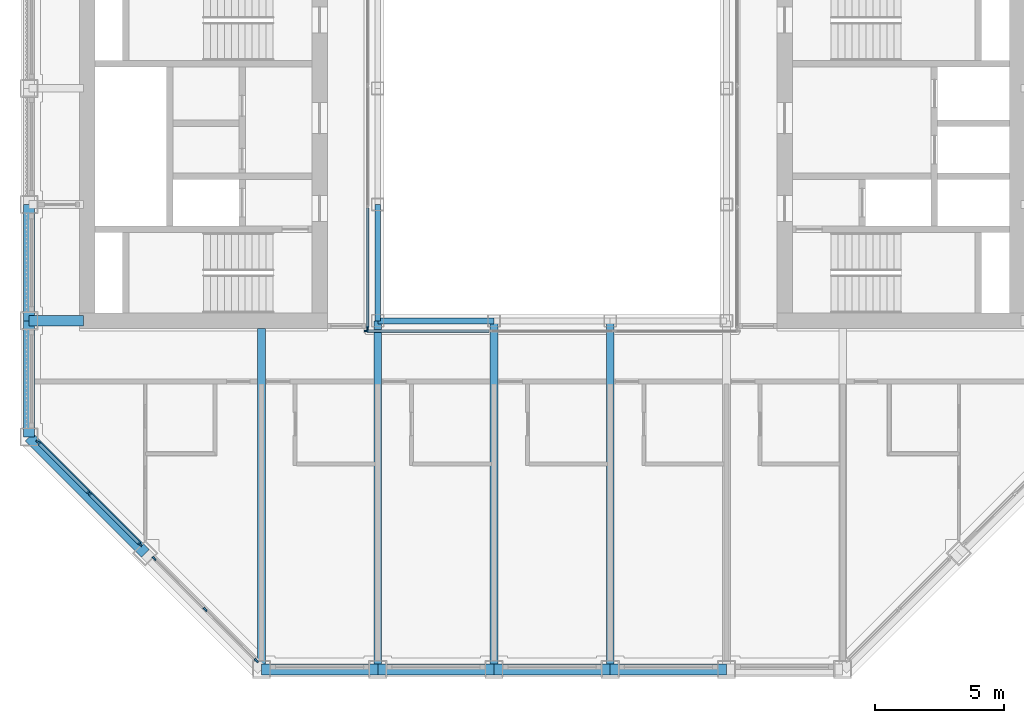
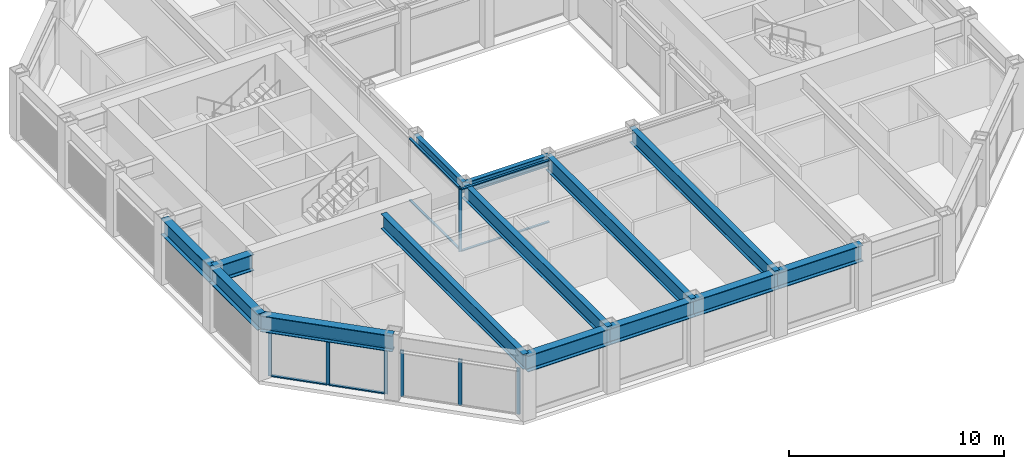
# One storey, part 2 of 18: 16 members, 14 beams, 4 elements without a shape of their own.
"""IFC4 building model written with IfcOpenShell, lengths in metres."""

from ifc_helpers import new_model, si_unit, direction, frame, origin, origin_2d, place, context, subcontext, project, spatial, rectangle, i_section, extrude, material, material_profile, profile_set, type_object, element, aggregate, save


model = new_model("IFC4")

# Units and contexts
model_context = context("Model", 3, precision=1e-05, world=origin(), true_north=direction((0.0, 1.0)))
body_context = subcontext(model_context, "Body", "Model", "MODEL_VIEW")
ifc_project = project(units=[si_unit("LENGTHUNIT", "METRE"), si_unit("AREAUNIT", "SQUARE_METRE"), si_unit("VOLUMEUNIT", "CUBIC_METRE"), si_unit("PLANEANGLEUNIT", "RADIAN"), si_unit("MASSUNIT", "GRAM", prefix="KILO")], contexts=[model_context])

# Site, building, storey
site_placement = place(None, origin())
site = spatial("IfcSite", under=ifc_project, at=site_placement, CompositionType="ELEMENT")
building_placement = place(site_placement, origin())
building = spatial("IfcBuilding", under=site, at=building_placement, Name="Msasa Ring Tower", CompositionType="ELEMENT")
storey_placement = place(building_placement, frame((0.0, 0.0, 208.300048828125)))
storey = spatial("IfcBuildingStorey", under=building, at=storey_placement, Name="L54", CompositionType="ELEMENT", Elevation=208.300048828125)

# Curtain wall, members
ifc_material_1 = material(Name="Aluminium curtain wall with clear glass", Category="aluminium")
curtain_wall_type_1 = type_object("IfcCurtainWallType", Name="CW-C CHAMFER CORNER CURTAIN WALL", PredefinedType="NOTDEFINED", material=ifc_material_1)
curtain_wall_1_placement = place(storey_placement, origin())
curtain_wall_1 = element("IfcCurtainWall", 1, at=curtain_wall_1_placement, inside=storey, type_object=curtain_wall_type_1, Name="Chamfer corner curtain wall SW L54", PredefinedType="NOTDEFINED")
ifc_material_2 = material(Name="Aluminium mullion", Category="aluminium")
ifc_material_profile_1 = material_profile(ifc_material_2, rectangle(XDim=0.06494140625, YDim=0.179931640625, at=origin_2d()), Name="AL 65x180")
ifc_profile_set_1 = profile_set([ifc_material_profile_1], Name="Aluminium mullion")
member_type_1 = type_object("IfcMemberType", Name="CW-C MULLION 65x180", PredefinedType="MULLION", material=ifc_profile_set_1)
member_1_placement = place(storey_placement, frame((-19.9052734375, -11.453369140625, 0.0), z_axis=(0.0, 0.0, 1.0), x_axis=(0.707106781187, 0.707106781187, 0.0)))
member_1 = element("IfcMember", 2, at=member_1_placement, type_object=member_type_1, Name="CW-C mullion 1", PredefinedType="MULLION", context=body_context, shape_type="SweptSolid", body=[
    extrude(rectangle(XDim=0.06494140625, YDim=0.179931640625, at=origin_2d()), origin(), (0.0, 0.0, 1.0), 2.62890625),
])
member_2_placement = place(storey_placement, frame((-17.92919921875, -13.42919921875, 0.0), z_axis=(0.0, 0.0, 1.0), x_axis=(0.707106781187, 0.707106781187, 0.0)))
member_2 = element("IfcMember", 3, at=member_2_placement, type_object=member_type_1, Name="CW-C mullion 2", PredefinedType="MULLION", context=body_context, shape_type="SweptSolid", body=[
    extrude(rectangle(XDim=0.06494140625, YDim=0.179931640625, at=origin_2d()), origin(), (0.0, 0.0, 1.0), 2.62890625),
])
member_3_placement = place(storey_placement, frame((-15.953369140625, -15.4052734375, 0.0), z_axis=(0.0, 0.0, 1.0), x_axis=(0.707106781187, 0.707106781187, 0.0)))
member_3 = element("IfcMember", 4, at=member_3_placement, type_object=member_type_1, Name="CW-C mullion 3", PredefinedType="MULLION", context=body_context, shape_type="SweptSolid", body=[
    extrude(rectangle(XDim=0.06494140625, YDim=0.179931640625, at=origin_2d()), origin(), (0.0, 0.0, 1.0), 2.62890625),
])

curtain_wall_2_placement = place(storey_placement, origin())
curtain_wall_2 = element("IfcCurtainWall", 5, at=curtain_wall_2_placement, inside=storey, type_object=curtain_wall_type_1, Name="Chamfer corner curtain wall SW L54", PredefinedType="NOTDEFINED")
member_4_placement = place(storey_placement, frame((-15.4052734375, -15.953369140625, 0.0), z_axis=(0.0, 0.0, 1.0), x_axis=(0.707106781187, 0.707106781187, 0.0)))
member_4 = element("IfcMember", 6, at=member_4_placement, type_object=member_type_1, Name="CW-C mullion 1", PredefinedType="MULLION", context=body_context, shape_type="SweptSolid", body=[
    extrude(rectangle(XDim=0.06494140625, YDim=0.179931640625, at=origin_2d()), origin(), (0.0, 0.0, 1.0), 2.62890625),
])
member_5_placement = place(storey_placement, frame((-13.42919921875, -17.92919921875, 0.0), z_axis=(0.0, 0.0, 1.0), x_axis=(0.707106781187, 0.707106781187, 0.0)))
member_5 = element("IfcMember", 7, at=member_5_placement, type_object=member_type_1, Name="CW-C mullion 2", PredefinedType="MULLION", context=body_context, shape_type="SweptSolid", body=[
    extrude(rectangle(XDim=0.06494140625, YDim=0.179931640625, at=origin_2d()), origin(), (0.0, 0.0, 1.0), 2.62890625),
])
member_6_placement = place(storey_placement, frame((-11.453369140625, -19.9052734375, 0.0), z_axis=(0.0, 0.0, 1.0), x_axis=(0.707106781187, 0.707106781187, 0.0)))
member_6 = element("IfcMember", 8, at=member_6_placement, type_object=member_type_1, Name="CW-C mullion 3", PredefinedType="MULLION", context=body_context, shape_type="SweptSolid", body=[
    extrude(rectangle(XDim=0.06494140625, YDim=0.179931640625, at=origin_2d()), origin(), (0.0, 0.0, 1.0), 2.62890625),
])
aggregate(curtain_wall_2, [member_4, member_5, member_6])

# Member
ifc_material_3 = material(Name="Aluminium transom", Category="aluminium")
ifc_material_profile_2 = material_profile(ifc_material_3, rectangle(XDim=0.139892578125, YDim=0.06494140625, at=origin_2d()), Name="AL 65x140")
ifc_profile_set_2 = profile_set([ifc_material_profile_2], Name="Aluminium transom")
member_type_2 = type_object("IfcMemberType", Name="CW-C TRANSOM 65x140", PredefinedType="USERDEFINED", material=ifc_profile_set_2)
member_7_placement = place(storey_placement, frame((-19.88232421875, -11.476318359375, 0.032470703125), z_axis=(0.707106781187, -0.707106781187, 0.0), x_axis=(0.707106781187, 0.707106781187, 0.0)))
member_7 = element("IfcMember", 9, at=member_7_placement, type_object=member_type_2, Name="CW-C transom 1.1", ObjectType="TRANSOM", PredefinedType="USERDEFINED", context=body_context, shape_type="SweptSolid", body=[
    extrude(rectangle(XDim=0.139892578125, YDim=0.06494140625, at=origin_2d()), origin(), (0.0, 0.0, 1.0), 2.729248046875),
])

member_8_placement = place(storey_placement, frame((-19.88232421875, -11.476318359375, 2.596435546875), z_axis=(0.707106781187, -0.707106781187, 0.0), x_axis=(0.707106781187, 0.707106781187, 0.0)))
member_8 = element("IfcMember", 10, at=member_8_placement, type_object=member_type_2, Name="CW-C transom 1.2", ObjectType="TRANSOM", PredefinedType="USERDEFINED", context=body_context, shape_type="SweptSolid", body=[
    extrude(rectangle(XDim=0.139892578125, YDim=0.06494140625, at=origin_2d()), origin(), (0.0, 0.0, 1.0), 2.729248046875),
])

member_9_placement = place(storey_placement, frame((-17.90625, -13.452392578125, 0.032470703125), z_axis=(0.707106781187, -0.707106781187, 0.0), x_axis=(0.707106781187, 0.707106781187, 0.0)))
member_9 = element("IfcMember", 11, at=member_9_placement, type_object=member_type_2, Name="CW-C transom 2.1", ObjectType="TRANSOM", PredefinedType="USERDEFINED", context=body_context, shape_type="SweptSolid", body=[
    extrude(rectangle(XDim=0.139892578125, YDim=0.06494140625, at=origin_2d()), origin(), (0.0, 0.0, 1.0), 2.729248046875),
])

member_10_placement = place(storey_placement, frame((-17.90625, -13.452392578125, 2.596435546875), z_axis=(0.707106781187, -0.707106781187, 0.0), x_axis=(0.707106781187, 0.707106781187, 0.0)))
member_10 = element("IfcMember", 12, at=member_10_placement, type_object=member_type_2, Name="CW-C transom 2.2", ObjectType="TRANSOM", PredefinedType="USERDEFINED", context=body_context, shape_type="SweptSolid", body=[
    extrude(rectangle(XDim=0.139892578125, YDim=0.06494140625, at=origin_2d()), origin(), (0.0, 0.0, 1.0), 2.729248046875),
])

aggregate(curtain_wall_1, [member_1, member_2, member_3, member_7, member_8, member_9, member_10])

# Curtain wall, member
ifc_material_4 = material(Name="Aluminium curtain wall with clear glass", Category="aluminium")
curtain_wall_type_2 = type_object("IfcCurtainWallType", Name="CW-W LIGHT WELL CURTAIN WALL", PredefinedType="NOTDEFINED", material=ifc_material_4)
curtain_wall_3_placement = place(storey_placement, origin())
curtain_wall_3 = element("IfcCurtainWall", 13, at=curtain_wall_3_placement, inside=storey, type_object=curtain_wall_type_2, Name="Light well curtain wall S L54", PredefinedType="NOTDEFINED")
ifc_material_5 = material(Name="Aluminium mullion", Category="aluminium")
ifc_material_profile_3 = material_profile(ifc_material_5, rectangle(XDim=0.06005859375, YDim=0.159912109375, at=origin_2d()), Name="AL 60x160")
ifc_profile_set_3 = profile_set([ifc_material_profile_3], Name="Aluminium mullion")
member_type_3 = type_object("IfcMemberType", Name="CW-W MULLION 60x160", PredefinedType="MULLION", material=ifc_profile_set_3)
member_11_placement = place(storey_placement, frame((-7.199951171875, -7.14990234375, 0.0), z_axis=(0.0, 0.0, 1.0), x_axis=(0.0, 1.0, 0.0)))
member_11 = element("IfcMember", 14, at=member_11_placement, type_object=member_type_3, Name="CW-W mullion 1", PredefinedType="MULLION", context=body_context, shape_type="SweptSolid", body=[
    extrude(rectangle(XDim=0.06005859375, YDim=0.159912109375, at=origin_2d()), origin(), (0.0, 0.0, 1.0), 3.550048828125),
])

curtain_wall_4_placement = place(storey_placement, origin())
curtain_wall_4 = element("IfcCurtainWall", 15, at=curtain_wall_4_placement, inside=storey, type_object=curtain_wall_type_2, Name="Light well curtain wall W L54", PredefinedType="NOTDEFINED")
member_12_placement = place(storey_placement, frame((-7.14990234375, -7.0400390625, 0.0), z_axis=(0.0, 0.0, 1.0), x_axis=(-1.0, 0.0, 0.0)))
member_12 = element("IfcMember", 16, at=member_12_placement, type_object=member_type_3, Name="CW-W mullion 1", PredefinedType="MULLION", context=body_context, shape_type="SweptSolid", body=[
    extrude(rectangle(XDim=0.06005859375, YDim=0.159912109375, at=origin_2d()), origin(), (0.0, 0.0, 1.0), 3.550048828125),
])

# Member
ifc_material_6 = material(Name="Aluminium transom", Category="aluminium")
ifc_material_profile_4 = material_profile(ifc_material_6, rectangle(XDim=0.1201171875, YDim=0.06005859375, at=origin_2d()), Name="AL 60x120")
ifc_profile_set_4 = profile_set([ifc_material_profile_4], Name="Aluminium transom")
member_type_4 = type_object("IfcMemberType", Name="CW-W TRANSOM 60x120", PredefinedType="USERDEFINED", material=ifc_profile_set_4)
member_13_placement = place(storey_placement, frame((-7.169921875, -7.14990234375, 0.030029296875), z_axis=(1.0, 0.0, 0.0), x_axis=(0.0, 1.0, 0.0)))
member_13 = element("IfcMember", 17, at=member_13_placement, type_object=member_type_4, Name="CW-W transom 1.1", ObjectType="TRANSOM", PredefinedType="USERDEFINED", context=body_context, shape_type="SweptSolid", body=[
    extrude(rectangle(XDim=0.1201171875, YDim=0.06005859375, at=origin_2d()), origin(), (0.0, 0.0, 1.0), 4.72998046875),
])

member_14_placement = place(storey_placement, frame((-7.169921875, -7.14990234375, 3.52001953125), z_axis=(1.0, 0.0, 0.0), x_axis=(0.0, 1.0, 0.0)))
member_14 = element("IfcMember", 18, at=member_14_placement, type_object=member_type_4, Name="CW-W transom 1.2", ObjectType="TRANSOM", PredefinedType="USERDEFINED", context=body_context, shape_type="SweptSolid", body=[
    extrude(rectangle(XDim=0.1201171875, YDim=0.06005859375, at=origin_2d()), origin(), (0.0, 0.0, 1.0), 4.72998046875),
])

aggregate(curtain_wall_3, [member_11, member_13, member_14])

member_15_placement = place(storey_placement, frame((-7.14990234375, -7.010009765625, 0.030029296875), z_axis=(0.0, 1.0, 0.0), x_axis=(-1.0, 0.0, 0.0)))
member_15 = element("IfcMember", 19, at=member_15_placement, type_object=member_type_4, Name="CW-W transom 1.1", ObjectType="TRANSOM", PredefinedType="USERDEFINED", context=body_context, shape_type="SweptSolid", body=[
    extrude(rectangle(XDim=0.1201171875, YDim=0.06005859375, at=origin_2d()), origin(), (0.0, 0.0, 1.0), 4.623291015625),
])

member_16_placement = place(storey_placement, frame((-7.14990234375, -7.010009765625, 3.52001953125), z_axis=(0.0, 1.0, 0.0), x_axis=(-1.0, 0.0, 0.0)))
member_16 = element("IfcMember", 20, at=member_16_placement, type_object=member_type_4, Name="CW-W transom 1.2", ObjectType="TRANSOM", PredefinedType="USERDEFINED", context=body_context, shape_type="SweptSolid", body=[
    extrude(rectangle(XDim=0.1201171875, YDim=0.06005859375, at=origin_2d()), origin(), (0.0, 0.0, 1.0), 4.623291015625),
])

aggregate(curtain_wall_4, [member_12, member_15, member_16])

# Beams
ifc_material_7 = material(Name="Steel S355", Category="steel")
ifc_material_profile_5 = material_profile(ifc_material_7, i_section(OverallWidth=0.293701171875, OverallDepth=0.850830078125, WebThickness=0.01611328125, FlangeThickness=0.02685546875, FilletRadius=0.017822265625, at=origin_2d()), Name="UB 838x292x226")
ifc_profile_set_5 = profile_set([ifc_material_profile_5], Name="Steel S355")
beam_type_1 = type_object("IfcBeamType", Name="FB5 UB 838x292x226", PredefinedType="BEAM", material=ifc_profile_set_5)
beam_1_placement = place(storey_placement, frame((-11.25, -20.25, 3.12451171875), z_axis=(0.0, 1.0, 0.0), x_axis=(-1.0, 0.0, 0.0)))
element("IfcBeam", 21, at=beam_1_placement, inside=storey, type_object=beam_type_1, Name="Floor beam S-11.25 under L55", PredefinedType="BEAM", context=body_context, shape_type="SweptSolid", body=[
    extrude(i_section(OverallWidth=0.293701171875, OverallDepth=0.850830078125, WebThickness=0.01611328125, FlangeThickness=0.02685546875, FilletRadius=0.017822265625, at=origin_2d()), origin(), (0.0, 0.0, 1.0), 13.199951171875),
])
for number, where, z_axis, x_axis, name in (
    (22, (-6.75, -20.25, 3.12451171875), (0.0, 1.0, 0.0), (-1.0, 0.0, 0.0), "Floor beam S-6.75 under L55"),
    (23, (-2.25, -20.25, 3.12451171875), (0.0, 1.0, 0.0), (-1.0, 0.0, 0.0), "Floor beam S-2.25 under L55"),
    (24, (2.25, -20.25, 3.12451171875), (0.0, 1.0, 0.0), (-1.0, 0.0, 0.0), "Floor beam S+2.25 under L55"),
):
    element("IfcBeam", number, at=place(storey_placement, frame(where, z_axis=z_axis, x_axis=x_axis)), inside=storey, type_object=beam_type_1, Name=name, PredefinedType="BEAM", context=body_context, shape_type="SweptSolid", body=[
        extrude(i_section(OverallWidth=0.293701171875, OverallDepth=0.850830078125, WebThickness=0.01611328125, FlangeThickness=0.02685546875, FilletRadius=0.017822265625, at=origin_2d()), origin(), (0.0, 0.0, 1.0), 13.5),
    ])
ifc_material_8 = material(Name="Steel S355", Category="steel")
ifc_material_profile_6 = material_profile(ifc_material_8, i_section(OverallWidth=0.42041015625, OverallDepth=0.9208984375, WebThickness=0.021484375, FlangeThickness=0.03662109375, FilletRadius=0.024169921875, at=origin_2d()), Name="UB 914x419x388")
ifc_profile_set_6 = profile_set([ifc_material_profile_6], Name="Steel S355")
beam_type_2 = type_object("IfcBeamType", Name="GB1 UB 914x419x388", PredefinedType="BEAM", material=ifc_profile_set_6)
beam_2_placement = place(storey_placement, frame((-18.14990234375, -6.75, 3.08935546875), z_axis=(-1.0, 0.0, 0.0), x_axis=(0.0, -1.0, 0.0)))
element("IfcBeam", 25, at=beam_2_placement, inside=storey, type_object=beam_type_2, Name="Girder W -6.75 under L55", PredefinedType="BEAM", context=body_context, shape_type="SweptSolid", body=[
    extrude(i_section(OverallWidth=0.42041015625, OverallDepth=0.9208984375, WebThickness=0.021484375, FlangeThickness=0.03662109375, FilletRadius=0.024169921875, at=origin_2d()), origin(), (0.0, 0.0, 1.0), 2.10009765625),
])
ifc_material_9 = material(Name="Steel S355", Category="steel")
ifc_material_profile_7 = material_profile(ifc_material_9, i_section(OverallWidth=0.230224609375, OverallDepth=0.6171875, WebThickness=0.01318359375, FlangeThickness=0.022216796875, FilletRadius=0.0126953125, at=origin_2d()), Name="UB 610x229x140")
ifc_profile_set_7 = profile_set([ifc_material_profile_7], Name="Steel S355")
beam_type_3 = type_object("IfcBeamType", Name="RB1 UB 610x229x140", PredefinedType="BEAM", material=ifc_profile_set_7)
for number, where, z_axis, x_axis, name in (
    (26, (-6.75, -2.25, 3.241455078125), (0.0, -1.0, 0.0), (1.0, 0.0, 0.0), "Inner ring beam IR-6.75-2.25 under L55"),
    (27, (-6.75, -6.75, 3.241455078125), (1.0, 0.0, 0.0), (0.0, 1.0, 0.0), "Inner ring beam IR-6.75-6.75 under L55"),
):
    element("IfcBeam", number, at=place(storey_placement, frame(where, z_axis=z_axis, x_axis=x_axis)), inside=storey, type_object=beam_type_3, Name=name, PredefinedType="BEAM", context=body_context, shape_type="SweptSolid", body=[
        extrude(i_section(OverallWidth=0.230224609375, OverallDepth=0.6171875, WebThickness=0.01318359375, FlangeThickness=0.022216796875, FilletRadius=0.0126953125, at=origin_2d()), origin(), (0.0, 0.0, 1.0), 4.5),
    ])
ifc_material_10 = material(Name="Steel S355", Category="steel")
ifc_material_profile_8 = material_profile(ifc_material_10, i_section(OverallWidth=0.42041015625, OverallDepth=0.9208984375, WebThickness=0.021484375, FlangeThickness=0.03662109375, FilletRadius=0.024169921875, at=origin_2d()), Name="UB 914x419x388")
ifc_profile_set_8 = profile_set([ifc_material_profile_8], Name="Steel S355")
beam_type_4 = type_object("IfcBeamType", Name="SB1 UB 914x419x388", PredefinedType="SPANDREL", material=ifc_profile_set_8)
for number, where, z_axis, x_axis, name in (
    (28, (-20.25, -2.25, 3.08935546875), (0.0, -1.0, 0.0), (1.0, 0.0, 0.0), "Spandrel W-2.25 to W-6.75 under L55"),
    (29, (-20.25, -6.75, 3.08935546875), (0.0, -1.0, 0.0), (1.0, 0.0, 0.0), "Spandrel W-6.75 to W-11.25 under L55"),
):
    element("IfcBeam", number, at=place(storey_placement, frame(where, z_axis=z_axis, x_axis=x_axis)), inside=storey, type_object=beam_type_4, Name=name, PredefinedType="SPANDREL", context=body_context, shape_type="SweptSolid", body=[
        extrude(i_section(OverallWidth=0.42041015625, OverallDepth=0.9208984375, WebThickness=0.021484375, FlangeThickness=0.03662109375, FilletRadius=0.024169921875, at=origin_2d()), origin(), (0.0, 0.0, 1.0), 4.5),
    ])
beam_3_placement = place(storey_placement, frame((-20.25, -11.25, 3.08935546875), z_axis=(0.707106781187, -0.707106781187, 0.0), x_axis=(0.707106781187, 0.707106781187, 0.0)))
element("IfcBeam", 30, at=beam_3_placement, inside=storey, type_object=beam_type_4, Name="Spandrel W-11.25 to SW under L55", PredefinedType="SPANDREL", context=body_context, shape_type="SweptSolid", body=[
    extrude(i_section(OverallWidth=0.42041015625, OverallDepth=0.9208984375, WebThickness=0.021484375, FlangeThickness=0.03662109375, FilletRadius=0.024169921875, at=origin_2d()), origin(), (0.0, 0.0, 1.0), 6.364013671875),
])
for number, where, z_axis, x_axis, name in (
    (31, (-11.25, -20.25, 3.08935546875), (1.0, 0.0, 0.0), (0.0, 1.0, 0.0), "Spandrel S-11.25 to S-6.75 under L55"),
    (32, (-6.75, -20.25, 3.08935546875), (1.0, 0.0, 0.0), (0.0, 1.0, 0.0), "Spandrel S-6.75 to S-2.25 under L55"),
    (33, (-2.25, -20.25, 3.08935546875), (1.0, 0.0, 0.0), (0.0, 1.0, 0.0), "Spandrel S-2.25 to S+2.25 under L55"),
    (34, (2.25, -20.25, 3.08935546875), (1.0, 0.0, 0.0), (0.0, 1.0, 0.0), "Spandrel S+2.25 to S+6.75 under L55"),
):
    element("IfcBeam", number, at=place(storey_placement, frame(where, z_axis=z_axis, x_axis=x_axis)), inside=storey, type_object=beam_type_4, Name=name, PredefinedType="SPANDREL", context=body_context, shape_type="SweptSolid", body=[
        extrude(i_section(OverallWidth=0.42041015625, OverallDepth=0.9208984375, WebThickness=0.021484375, FlangeThickness=0.03662109375, FilletRadius=0.024169921875, at=origin_2d()), origin(), (0.0, 0.0, 1.0), 4.5),
    ])

save(model, "model.ifc")
